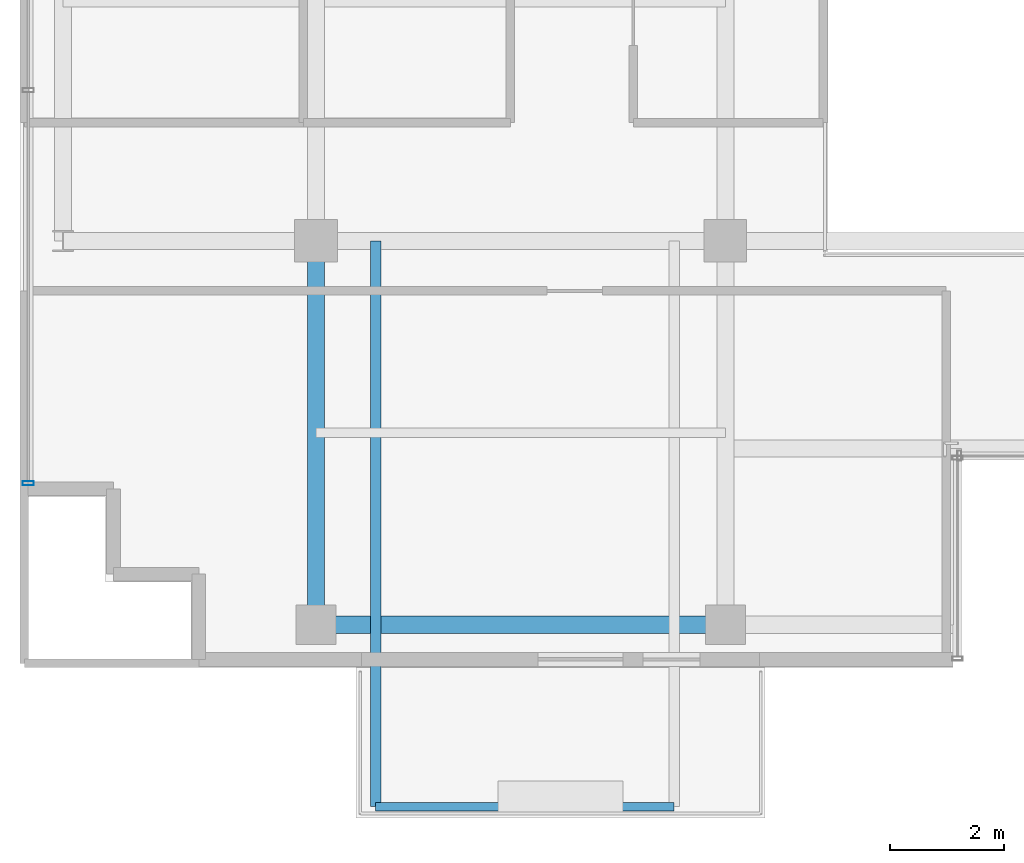
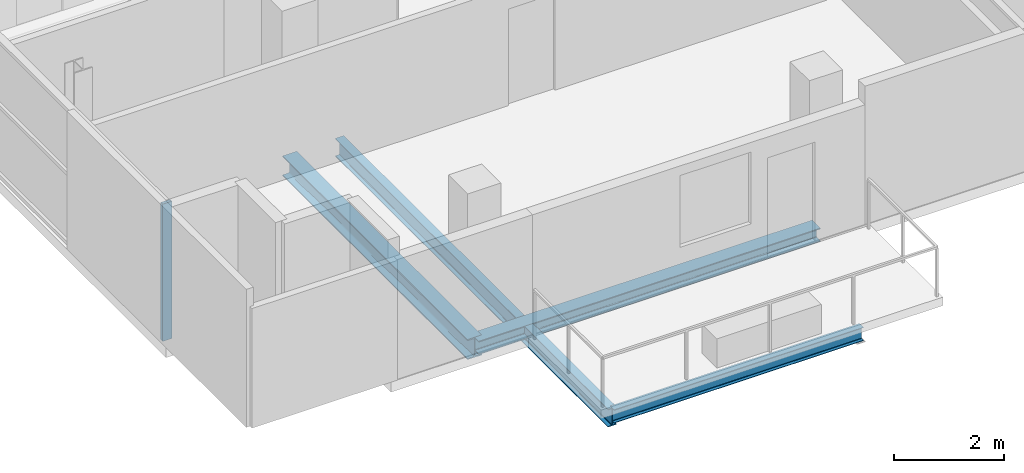
# One storey, part 2 of 22: 4 beams, 1 member, 1 element without a shape of its own.
"""IFC4 building model written with IfcOpenShell, lengths in metres."""

from ifc_helpers import new_model, si_unit, direction, frame, origin, origin_2d, place, context, subcontext, project, spatial, hollow_rectangle, i_section, extrude, source, transform, mapped, material, layer, layer_set, material_profile, profile_set, type_object, element, aggregate, save


model = new_model("IFC4")

# Units and contexts
model_context = context("Model", 3, precision=1e-05, world=origin(), true_north=direction((0.0, 1.0)))
body_context = subcontext(model_context, "Body", "Model", "MODEL_VIEW")
ifc_project = project(units=[si_unit("LENGTHUNIT", "METRE"), si_unit("AREAUNIT", "SQUARE_METRE"), si_unit("VOLUMEUNIT", "CUBIC_METRE"), si_unit("PLANEANGLEUNIT", "RADIAN"), si_unit("MASSUNIT", "GRAM", prefix="KILO")], contexts=[model_context])

# Site, building, storey
site_placement = place(None, origin())
site = spatial("IfcSite", under=ifc_project, at=site_placement, CompositionType="ELEMENT")
building_placement = place(site_placement, origin())
building = spatial("IfcBuilding", under=site, at=building_placement, Name="Zarnakvel Exchange Tower", CompositionType="ELEMENT")
storey_placement = place(building_placement, frame((0.0, 0.0, 251.800048828125)))
storey = spatial("IfcBuildingStorey", under=building, at=storey_placement, Name="L71", CompositionType="ELEMENT", Elevation=251.800048828125)

# Beams
ifc_material_1 = material(Name="Steel S355", Category="steel")
ifc_material_profile_1 = material_profile(ifc_material_1, i_section(OverallWidth=0.179931640625, OverallDepth=0.39990234375, WebThickness=0.008544921875, FlangeThickness=0.013427734375, FilletRadius=0.02099609375, at=origin_2d()))
ifc_profile_set_1 = profile_set([ifc_material_profile_1], Name="Steel S355")
beam_type_1 = type_object("IfcBeamType", Name="B-06", PredefinedType="JOIST", material=ifc_profile_set_1)
beam_1_placement = place(storey_placement, frame((-13.35009765625, -9.60009765625, -0.425048828125), z_axis=(0.0, -1.0, 0.0), x_axis=(1.0, 0.0, 0.0)))
element("IfcBeam", 1, at=beam_1_placement, inside=storey, type_object=beam_type_1, Name="L71 Continuous Back-Spanned Balcony Beam W", PredefinedType="JOIST", context=body_context, shape_type="SweptSolid", body=[
    extrude(i_section(OverallWidth=0.179931640625, OverallDepth=0.39990234375, WebThickness=0.008544921875, FlangeThickness=0.013427734375, FilletRadius=0.02099609375, at=origin_2d()), origin(), (0.0, 0.0, 1.0), 9.949951171875),
])
ifc_material_profile_2 = material_profile(ifc_material_1, i_section(OverallWidth=0.14990234375, OverallDepth=0.300048828125, WebThickness=0.007080078125, FlangeThickness=0.0107421875, FilletRadius=0.014892578125, at=origin_2d()))
ifc_profile_set_2 = profile_set([ifc_material_profile_2], Name="Steel S355")
beam_type_2 = type_object("IfcBeamType", Name="B-08", PredefinedType="JOIST", material=ifc_profile_set_2)
beam_2_placement = place(storey_placement, frame((-13.35009765625, -19.550048828125, -0.375), z_axis=(1.0, 0.0, 0.0), x_axis=(0.0, 1.0, 0.0)))
element("IfcBeam", 2, at=beam_2_placement, inside=storey, type_object=beam_type_2, Name="L71 Balcony Edge Beam", PredefinedType="JOIST", context=body_context, shape_type="SweptSolid", body=[
    extrude(i_section(OverallWidth=0.14990234375, OverallDepth=0.300048828125, WebThickness=0.007080078125, FlangeThickness=0.0107421875, FilletRadius=0.014892578125, at=origin_2d()), origin(), (0.0, 0.0, 1.0), 5.25),
])
ifc_material_profile_3 = material_profile(ifc_material_1, i_section(OverallWidth=0.300048828125, OverallDepth=0.449951171875, WebThickness=0.013916015625, FlangeThickness=0.02587890625, FilletRadius=0.027099609375, at=origin_2d()))
ifc_profile_set_3 = profile_set([ifc_material_profile_3], Name="Steel S355")
beam_type_3 = type_object("IfcBeamType", Name="G-07", PredefinedType="BEAM", material=ifc_profile_set_3)
beam_3_placement = place(storey_placement, frame((-14.39990234375, -16.35009765625, -0.449951171875), z_axis=(0.0, 1.0, 0.0), x_axis=(-1.0, 0.0, 0.0)))
element("IfcBeam", 3, at=beam_3_placement, inside=storey, type_object=beam_type_3, Name="L71 Tower N-S Frame Beam", PredefinedType="BEAM", context=body_context, shape_type="SweptSolid", body=[
    extrude(i_section(OverallWidth=0.300048828125, OverallDepth=0.449951171875, WebThickness=0.013916015625, FlangeThickness=0.02587890625, FilletRadius=0.027099609375, at=origin_2d()), origin(), (0.0, 0.0, 1.0), 6.75),
])
ifc_material_profile_4 = material_profile(ifc_material_1, i_section(OverallWidth=0.300048828125, OverallDepth=0.300048828125, WebThickness=0.010986328125, FlangeThickness=0.01904296875, FilletRadius=0.027099609375, at=origin_2d()))
ifc_profile_set_4 = profile_set([ifc_material_profile_4], Name="Steel S355")
beam_type_4 = type_object("IfcBeamType", Name="SP-03", PredefinedType="SPANDREL", material=ifc_profile_set_4)
beam_4_placement = place(storey_placement, frame((-14.39990234375, -16.35009765625, -0.375), z_axis=(1.0, 0.0, 0.0), x_axis=(0.0, 1.0, 0.0)))
element("IfcBeam", 4, at=beam_4_placement, inside=storey, type_object=beam_type_4, Name="L71 Tower E-W Frame Beam", PredefinedType="SPANDREL", context=body_context, shape_type="SweptSolid", body=[
    extrude(i_section(OverallWidth=0.300048828125, OverallDepth=0.300048828125, WebThickness=0.010986328125, FlangeThickness=0.01904296875, FilletRadius=0.027099609375, at=origin_2d()), origin(), (0.0, 0.0, 1.0), 7.199951171875),
])

# Curtain wall, member
ifc_material_2 = material(Name="Architectural Bronze Anodised Aluminium", Category="aluminium")
ifc_layer = layer(ifc_material_2, 0.199951171875)
ifc_layer_set = layer_set([ifc_layer], Name="Architectural Bronze Anodised Aluminium")
curtain_wall_type = type_object("IfcCurtainWallType", Name="CW-04", PredefinedType="NOTDEFINED", material=ifc_layer_set)
curtain_wall_placement = place(storey_placement, origin())
curtain_wall = element("IfcCurtainWall", 5, at=curtain_wall_placement, inside=storey, type_object=curtain_wall_type, Name="L71 Curtain Wall CW-L71-W1 (CW-04)", PredefinedType="NOTDEFINED")
ifc_material_profile_5 = material_profile(ifc_material_2, hollow_rectangle(XDim=0.199951171875, YDim=0.074951171875, WallThickness=0.0048828125, at=origin_2d()))
ifc_profile_set_5 = profile_set([ifc_material_profile_5], Name="Architectural Bronze Anodised Aluminium")
member_type = type_object("IfcMemberType", Name="CWM-04", PredefinedType="MULLION", material=ifc_profile_set_5)
shared_shape = source(origin(), body_context, "Body", "SweptSolid", [
    extrude(hollow_rectangle(XDim=0.199951171875, YDim=0.074951171875, WallThickness=0.0048828125, at=origin_2d()), origin(), (0.0, 0.0, 1.0), 3.054931640625),
])
member_placement = place(storey_placement, frame((-19.4599609375, -13.862548828125, 0.0), z_axis=(0.0, 0.0, 1.0), x_axis=(-1.0, 0.0, 0.0)))
member = element("IfcMember", 6, at=member_placement, type_object=member_type, Name="CW-04 mullion 1", PredefinedType="MULLION", context=body_context, shape_type="MappedRepresentation", body=[
    mapped(shared_shape, transform((0.0, 0.0, 0.0), x_axis=(1.0, 0.0, 0.0), y_axis=(0.0, 1.0, 0.0), z_axis=(0.0, 0.0, 1.0), scale=1.0)),
])
aggregate(curtain_wall, [member])

save(model, "model.ifc")
